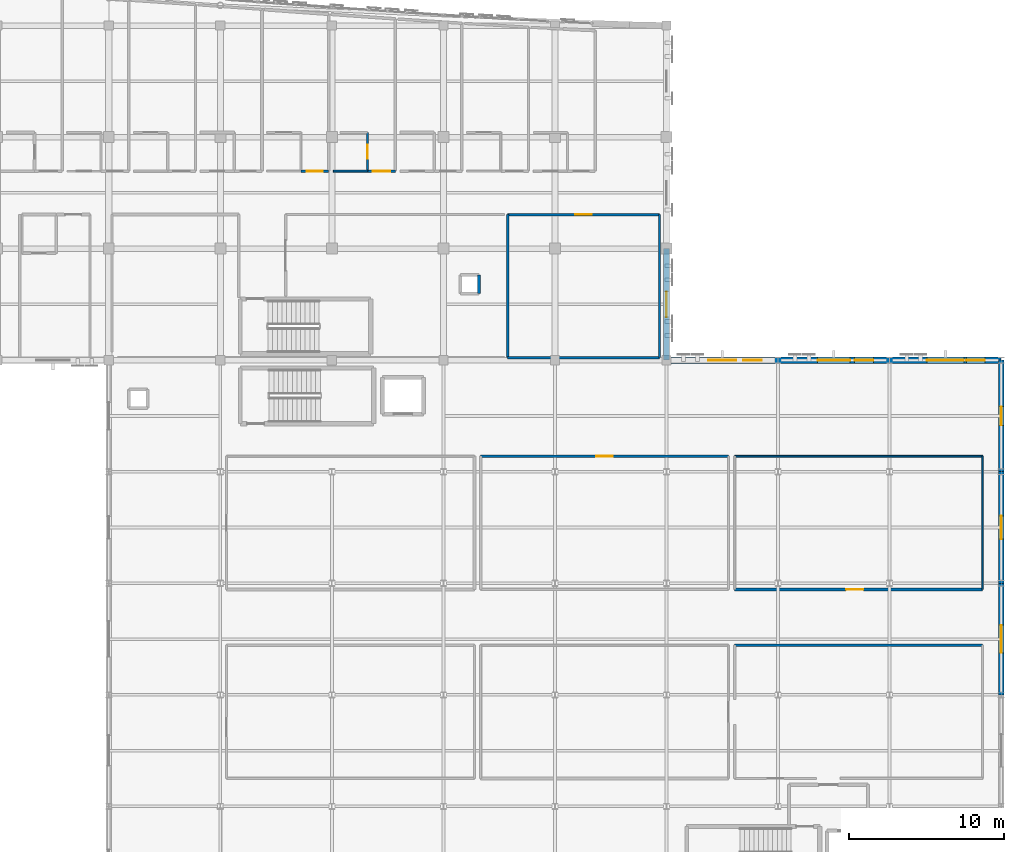
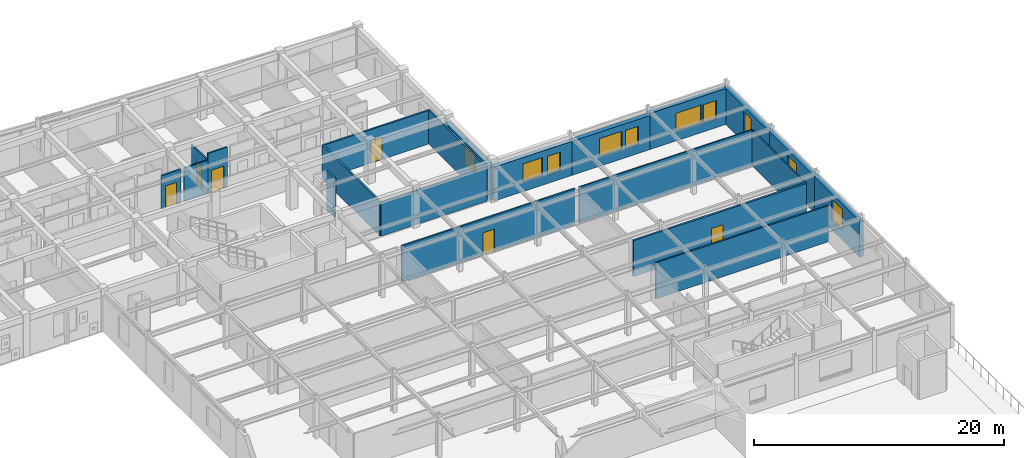
# One storey, part 100 of 113: 21 walls, 10 windows, 6 doors, 16 openings.
"""IFC4 building model written with IfcOpenShell, lengths in metres."""

from ifc_helpers import new_model, si_unit, direction, frame, frame_2d, origin, place, context, subcontext, project, spatial, rectangle, extrude, material, layer, layer_set, type_object, element, fill, save


model = new_model("IFC4")

# Units and contexts
model_context = context("Model", 3, precision=1e-05, world=origin(), true_north=direction((0.0, 1.0)))
body_context = subcontext(model_context, "Body", "Model", "MODEL_VIEW")
ifc_project = project(units=[si_unit("LENGTHUNIT", "METRE"), si_unit("AREAUNIT", "SQUARE_METRE"), si_unit("VOLUMEUNIT", "CUBIC_METRE"), si_unit("PLANEANGLEUNIT", "RADIAN"), si_unit("MASSUNIT", "GRAM", prefix="KILO")], contexts=[model_context])

# Site, building, storey
site_placement = place(None, origin())
site = spatial("IfcSite", under=ifc_project, at=site_placement, CompositionType="ELEMENT")
building_placement = place(site_placement, origin())
building = spatial("IfcBuilding", under=site, at=building_placement, Name="Carrowvane Square Congress Hotel", CompositionType="ELEMENT")
storey_placement = place(building_placement, frame((0.0, 0.0, 15.0)))
storey = spatial("IfcBuildingStorey", under=building, at=storey_placement, Name="L03", CompositionType="ELEMENT", Elevation=15.0)

# Wall, opening, window
ifc_material_1 = material(Name="Glazed terracotta rainscreen", Category="masonry")
ifc_layer_1 = layer(ifc_material_1, 0.360107421875)
ifc_layer_set_1 = layer_set([ifc_layer_1], Name="Glazed terracotta rainscreen")
wall_type_1 = type_object("IfcWallType", Name="WL-EXT-TC360", PredefinedType="STANDARD", material=ifc_layer_set_1)
wall_1_placement = place(storey_placement, frame((184.39990234375, 91.800048828125, 0.0), z_axis=(0.0, 0.0, 1.0), x_axis=(0.0, -1.0, 0.0)))
wall_1 = element("IfcWall", 1, at=wall_1_placement, inside=storey, type_object=wall_type_1, Name="L03 exterior facade wall 364", PredefinedType="STANDARD", context=body_context, shape_type="SweptSolid", body=[
    extrude(rectangle(XDim=7.199951171875, YDim=0.360107421875, at=frame_2d((3.60009765625, 0.0))), origin(), (0.0, 0.0, 1.0), 3.515625),
])
opening_1_placement = place(wall_1_placement, frame((3.0, 0.0, 0.89990234375)))
opening_1 = element("IfcOpeningElement", 2, at=opening_1_placement, cuts=wall_1, Name="Opening W-08", PredefinedType="OPENING", context=body_context, shape_type="SweptSolid", body=[
    extrude(rectangle(XDim=1.199951171875, YDim=2.10009765625, at=frame_2d((0.60009765625, 1.050048828125))), frame((0.0, 0.18994140625, 0.0), z_axis=(0.0, -1.0, 0.0), x_axis=(1.0, 0.0, 0.0)), (0.0, 0.0, 1.0), 0.380126953125),
])
ifc_material_2 = material(Name="Double-glazed low-E glass", Category="glass")
window_type_1 = type_object("IfcWindowType", Name="WIN-08", PartitioningType="SINGLE_PANEL", PredefinedType="WINDOW", material=ifc_material_2)
window_1_placement = place(opening_1_placement, origin())
window_1 = element("IfcWindow", 3, at=window_1_placement, inside=storey, type_object=window_type_1, Name="L03 facade window 186", OverallHeight=2.10009765625, OverallWidth=1.199951171875, PartitioningType="SINGLE_PANEL", PredefinedType="WINDOW", context=body_context, shape_type="SweptSolid", body=[
    extrude(rectangle(XDim=1.199951171875, YDim=2.10009765625, at=frame_2d((0.60009765625, 1.050048828125))), frame((0.0, 0.030029296875, 0.0), z_axis=(0.0, -1.0, 0.0), x_axis=(1.0, 0.0, 0.0)), (0.0, 0.0, 1.0), 0.06005859375),
])
fill(opening_1, window_1)

wall_2_placement = place(storey_placement, frame((184.39990234375, 84.60009765625, 0.0), z_axis=(0.0, 0.0, 1.0), x_axis=(0.0, -1.0, 0.0)))
wall_2 = element("IfcWall", 4, at=wall_2_placement, inside=storey, type_object=wall_type_1, Name="L03 exterior facade wall 365", PredefinedType="STANDARD", context=body_context, shape_type="SweptSolid", body=[
    extrude(rectangle(XDim=7.2001953125, YDim=0.360107421875, at=frame_2d((3.60009765625, 0.0))), origin(), (0.0, 0.0, 1.0), 3.515625),
])
opening_2_placement = place(wall_2_placement, frame((2.85009765625, 0.0, 0.89990234375)))
opening_2 = element("IfcOpeningElement", 5, at=opening_2_placement, cuts=wall_2, Name="Opening W-09", PredefinedType="OPENING", context=body_context, shape_type="SweptSolid", body=[
    extrude(rectangle(XDim=1.5, YDim=2.10009765625, at=frame_2d((0.75, 1.050048828125))), frame((0.0, 0.18994140625, 0.0), z_axis=(0.0, -1.0, 0.0), x_axis=(1.0, 0.0, 0.0)), (0.0, 0.0, 1.0), 0.380126953125),
])
ifc_material_3 = material(Name="Double-glazed low-E glass", Category="glass")
window_type_2 = type_object("IfcWindowType", Name="WIN-09", PartitioningType="SINGLE_PANEL", PredefinedType="WINDOW", material=ifc_material_3)
window_2_placement = place(opening_2_placement, origin())
window_2 = element("IfcWindow", 6, at=window_2_placement, inside=storey, type_object=window_type_2, Name="L03 facade window 187", OverallHeight=2.10009765625, OverallWidth=1.5, PartitioningType="SINGLE_PANEL", PredefinedType="WINDOW", context=body_context, shape_type="SweptSolid", body=[
    extrude(rectangle(XDim=1.5, YDim=2.10009765625, at=frame_2d((0.75, 1.050048828125))), frame((0.0, 0.030029296875, 0.0), z_axis=(0.0, -1.0, 0.0), x_axis=(1.0, 0.0, 0.0)), (0.0, 0.0, 1.0), 0.06005859375),
])
fill(opening_2, window_2)

wall_3_placement = place(storey_placement, frame((184.39990234375, 77.39990234375, 0.0), z_axis=(0.0, 0.0, 1.0), x_axis=(0.0, -1.0, 0.0)))
wall_3 = element("IfcWall", 7, at=wall_3_placement, inside=storey, type_object=wall_type_1, Name="L03 exterior facade wall 366", PredefinedType="STANDARD", context=body_context, shape_type="SweptSolid", body=[
    extrude(rectangle(XDim=7.199951171875, YDim=0.360107421875, at=frame_2d((3.60009765625, 0.0))), origin(), (0.0, 0.0, 1.0), 3.515625),
])
opening_3_placement = place(wall_3_placement, frame((2.699951171875, 0.0, 0.89990234375)))
opening_3 = element("IfcOpeningElement", 8, at=opening_3_placement, cuts=wall_3, Name="Opening W-10", PredefinedType="OPENING", context=body_context, shape_type="SweptSolid", body=[
    extrude(rectangle(XDim=1.800048828125, YDim=2.10009765625, at=frame_2d((0.89990234375, 1.050048828125))), frame((0.0, 0.18994140625, 0.0), z_axis=(0.0, -1.0, 0.0), x_axis=(1.0, 0.0, 0.0)), (0.0, 0.0, 1.0), 0.380126953125),
])
ifc_material_4 = material(Name="Double-glazed low-E glass", Category="glass")
window_type_3 = type_object("IfcWindowType", Name="WIN-10", PartitioningType="SINGLE_PANEL", PredefinedType="WINDOW", material=ifc_material_4)
window_3_placement = place(opening_3_placement, origin())
window_3 = element("IfcWindow", 9, at=window_3_placement, inside=storey, type_object=window_type_3, Name="L03 facade window 188", OverallHeight=2.10009765625, OverallWidth=1.800048828125, PartitioningType="SINGLE_PANEL", PredefinedType="WINDOW", context=body_context, shape_type="SweptSolid", body=[
    extrude(rectangle(XDim=1.800048828125, YDim=2.10009765625, at=frame_2d((0.89990234375, 1.050048828125))), frame((0.0, 0.030029296875, 0.0), z_axis=(0.0, -1.0, 0.0), x_axis=(1.0, 0.0, 0.0)), (0.0, 0.0, 1.0), 0.06005859375),
])
fill(opening_3, window_3)

ifc_material_5 = material(Name="Glazed terracotta rainscreen", Category="masonry")
ifc_layer_2 = layer(ifc_material_5, 0.39990234375)
ifc_layer_set_2 = layer_set([ifc_layer_2], Name="Glazed terracotta rainscreen")
wall_type_2 = type_object("IfcWallType", Name="WL-EXT-TC400", PredefinedType="STANDARD", material=ifc_layer_set_2)
wall_4_placement = place(storey_placement, frame((162.800048828125, 99.0, 0.0), z_axis=(0.0, 0.0, 1.0), x_axis=(0.0, -1.0, 0.0)))
wall_4 = element("IfcWall", 10, at=wall_4_placement, inside=storey, type_object=wall_type_2, Name="L03 exterior facade wall 360", PredefinedType="STANDARD", context=body_context, shape_type="SweptSolid", body=[
    extrude(rectangle(XDim=7.199951171875, YDim=0.39990234375, at=frame_2d((3.60009765625, 0.0))), origin(), (0.0, 0.0, 1.0), 3.27490234375),
])
opening_4_placement = place(wall_4_placement, frame((2.77490234375, 0.0, 0.89990234375)))
opening_4 = element("IfcOpeningElement", 11, at=opening_4_placement, cuts=wall_4, Name="Opening W-04", PredefinedType="OPENING", context=body_context, shape_type="SweptSolid", body=[
    extrude(rectangle(XDim=1.64990234375, YDim=1.800048828125, at=frame_2d((0.824951171875, 0.89990234375))), frame((0.0, 0.2099609375, 0.0), z_axis=(0.0, -1.0, 0.0), x_axis=(1.0, 0.0, 0.0)), (0.0, 0.0, 1.0), 0.419921875),
])
ifc_material_6 = material(Name="Double-glazed low-E glass", Category="glass")
window_type_4 = type_object("IfcWindowType", Name="WIN-04", PartitioningType="SINGLE_PANEL", PredefinedType="WINDOW", material=ifc_material_6)
window_4_placement = place(opening_4_placement, origin())
window_4 = element("IfcWindow", 12, at=window_4_placement, inside=storey, type_object=window_type_4, Name="L03 facade window 179", OverallHeight=1.800048828125, OverallWidth=1.64990234375, PartitioningType="SINGLE_PANEL", PredefinedType="WINDOW", context=body_context, shape_type="SweptSolid", body=[
    extrude(rectangle(XDim=1.64990234375, YDim=1.800048828125, at=frame_2d((0.824951171875, 0.89990234375))), frame((0.0, 0.030029296875, 0.0), z_axis=(0.0, -1.0, 0.0), x_axis=(1.0, 0.0, 0.0)), (0.0, 0.0, 1.0), 0.06005859375),
])
fill(opening_4, window_4)

# Wall, openings, windows
wall_5_placement = place(storey_placement, frame((162.800048828125, 91.800048828125, 0.0), z_axis=(0.0, 0.0, 1.0), x_axis=(1.0, 0.0, 0.0)))
wall_5 = element("IfcWall", 13, at=wall_5_placement, inside=storey, type_object=wall_type_2, Name="L03 exterior facade wall 361", PredefinedType="STANDARD", context=body_context, shape_type="SweptSolid", body=[
    extrude(rectangle(XDim=7.199951171875, YDim=0.39990234375, at=frame_2d((3.60009765625, 0.0))), origin(), (0.0, 0.0, 1.0), 3.324951171875),
])
opening_5_placement = place(wall_5_placement, frame((2.699951171875, 0.0, 0.89990234375)))
opening_5 = element("IfcOpeningElement", 14, at=opening_5_placement, cuts=wall_5, Name="Opening W-05", PredefinedType="OPENING", context=body_context, shape_type="SweptSolid", body=[
    extrude(rectangle(XDim=1.800048828125, YDim=1.800048828125, at=frame_2d((0.89990234375, 0.89990234375))), frame((0.0, 0.2099609375, 0.0), z_axis=(0.0, -1.0, 0.0), x_axis=(1.0, 0.0, 0.0)), (0.0, 0.0, 1.0), 0.419921875),
])
opening_6_placement = place(wall_5_placement, frame((4.949951171875, 0.0, 0.85009765625)))
opening_6 = element("IfcOpeningElement", 15, at=opening_6_placement, cuts=wall_5, Name="Opening W-01", PredefinedType="OPENING", context=body_context, shape_type="SweptSolid", body=[
    extrude(rectangle(XDim=1.199951171875, YDim=1.800048828125, at=frame_2d((0.60009765625, 0.89990234375))), frame((0.0, 0.2099609375, 0.0), z_axis=(0.0, -1.0, 0.0), x_axis=(1.0, 0.0, 0.0)), (0.0, 0.0, 1.0), 0.419921875),
])
ifc_material_7 = material(Name="Double-glazed low-E glass", Category="glass")
window_type_5 = type_object("IfcWindowType", Name="WIN-01", PartitioningType="SINGLE_PANEL", PredefinedType="WINDOW", material=ifc_material_7)
window_5_placement = place(opening_6_placement, origin())
window_5 = element("IfcWindow", 16, at=window_5_placement, inside=storey, type_object=window_type_5, Name="L03 guest bedroom window 181", OverallHeight=1.800048828125, OverallWidth=1.199951171875, PartitioningType="SINGLE_PANEL", PredefinedType="WINDOW", context=body_context, shape_type="SweptSolid", body=[
    extrude(rectangle(XDim=1.199951171875, YDim=1.800048828125, at=frame_2d((0.60009765625, 0.89990234375))), frame((0.0, 0.030029296875, 0.0), z_axis=(0.0, -1.0, 0.0), x_axis=(1.0, 0.0, 0.0)), (0.0, 0.0, 1.0), 0.06005859375),
])
fill(opening_6, window_5)
ifc_material_8 = material(Name="Double-glazed low-E glass", Category="glass")
window_type_6 = type_object("IfcWindowType", Name="WIN-05", PartitioningType="SINGLE_PANEL", PredefinedType="WINDOW", material=ifc_material_8)
window_6_placement = place(opening_5_placement, origin())
window_6 = element("IfcWindow", 17, at=window_6_placement, inside=storey, type_object=window_type_6, Name="L03 facade window 180", OverallHeight=1.800048828125, OverallWidth=1.800048828125, PartitioningType="SINGLE_PANEL", PredefinedType="WINDOW", context=body_context, shape_type="SweptSolid", body=[
    extrude(rectangle(XDim=1.800048828125, YDim=1.800048828125, at=frame_2d((0.89990234375, 0.89990234375))), frame((0.0, 0.030029296875, 0.0), z_axis=(0.0, -1.0, 0.0), x_axis=(1.0, 0.0, 0.0)), (0.0, 0.0, 1.0), 0.06005859375),
])
fill(opening_5, window_6)

wall_6_placement = place(storey_placement, frame((170.0, 91.800048828125, 0.0), z_axis=(0.0, 0.0, 1.0), x_axis=(1.0, 0.0, 0.0)))
wall_6 = element("IfcWall", 18, at=wall_6_placement, inside=storey, type_object=wall_type_2, Name="L03 exterior facade wall 362", PredefinedType="STANDARD", context=body_context, shape_type="SweptSolid", body=[
    extrude(rectangle(XDim=7.199951171875, YDim=0.39990234375, at=frame_2d((3.60009765625, 0.0))), origin(), (0.0, 0.0, 1.0), 3.324951171875),
])
opening_7_placement = place(wall_6_placement, frame((2.550048828125, 0.0, 0.89990234375)))
opening_7 = element("IfcOpeningElement", 19, at=opening_7_placement, cuts=wall_6, Name="Opening W-06", PredefinedType="OPENING", context=body_context, shape_type="SweptSolid", body=[
    extrude(rectangle(XDim=2.10009765625, YDim=1.800048828125, at=frame_2d((1.050048828125, 0.89990234375))), frame((0.0, 0.2099609375, 0.0), z_axis=(0.0, -1.0, 0.0), x_axis=(1.0, 0.0, 0.0)), (0.0, 0.0, 1.0), 0.419921875),
])
opening_8_placement = place(wall_6_placement, frame((4.949951171875, 0.0, 0.85009765625)))
opening_8 = element("IfcOpeningElement", 20, at=opening_8_placement, cuts=wall_6, Name="Opening W-01", PredefinedType="OPENING", context=body_context, shape_type="SweptSolid", body=[
    extrude(rectangle(XDim=1.199951171875, YDim=1.800048828125, at=frame_2d((0.60009765625, 0.89990234375))), frame((0.0, 0.2099609375, 0.0), z_axis=(0.0, -1.0, 0.0), x_axis=(1.0, 0.0, 0.0)), (0.0, 0.0, 1.0), 0.419921875),
])
window_7_placement = place(opening_8_placement, origin())
window_7 = element("IfcWindow", 21, at=window_7_placement, inside=storey, type_object=window_type_5, Name="L03 guest bedroom window 183", OverallHeight=1.800048828125, OverallWidth=1.199951171875, PartitioningType="SINGLE_PANEL", PredefinedType="WINDOW", context=body_context, shape_type="SweptSolid", body=[
    extrude(rectangle(XDim=1.199951171875, YDim=1.800048828125, at=frame_2d((0.60009765625, 0.89990234375))), frame((0.0, 0.030029296875, 0.0), z_axis=(0.0, -1.0, 0.0), x_axis=(1.0, 0.0, 0.0)), (0.0, 0.0, 1.0), 0.06005859375),
])
fill(opening_8, window_7)
ifc_material_9 = material(Name="Double-glazed low-E glass", Category="glass")
window_type_7 = type_object("IfcWindowType", Name="WIN-06", PartitioningType="SINGLE_PANEL", PredefinedType="WINDOW", material=ifc_material_9)
window_8_placement = place(opening_7_placement, origin())
window_8 = element("IfcWindow", 22, at=window_8_placement, inside=storey, type_object=window_type_7, Name="L03 facade window 182", OverallHeight=1.800048828125, OverallWidth=2.10009765625, PartitioningType="SINGLE_PANEL", PredefinedType="WINDOW", context=body_context, shape_type="SweptSolid", body=[
    extrude(rectangle(XDim=2.10009765625, YDim=1.800048828125, at=frame_2d((1.050048828125, 0.89990234375))), frame((0.0, 0.030029296875, 0.0), z_axis=(0.0, -1.0, 0.0), x_axis=(1.0, 0.0, 0.0)), (0.0, 0.0, 1.0), 0.06005859375),
])
fill(opening_7, window_8)

wall_7_placement = place(storey_placement, frame((177.199951171875, 91.800048828125, 0.0), z_axis=(0.0, 0.0, 1.0), x_axis=(1.0, 0.0, 0.0)))
wall_7 = element("IfcWall", 23, at=wall_7_placement, inside=storey, type_object=wall_type_2, Name="L03 exterior facade wall 363", PredefinedType="STANDARD", context=body_context, shape_type="SweptSolid", body=[
    extrude(rectangle(XDim=7.199951171875, YDim=0.39990234375, at=frame_2d((3.60009765625, 0.0))), origin(), (0.0, 0.0, 1.0), 3.515625),
])
opening_9_placement = place(wall_7_placement, frame((2.39990234375, 0.0, 0.89990234375)))
opening_9 = element("IfcOpeningElement", 24, at=opening_9_placement, cuts=wall_7, Name="Opening W-07", PredefinedType="OPENING", context=body_context, shape_type="SweptSolid", body=[
    extrude(rectangle(XDim=2.39990234375, YDim=1.800048828125, at=frame_2d((1.199951171875, 0.89990234375))), frame((0.0, 0.2099609375, 0.0), z_axis=(0.0, -1.0, 0.0), x_axis=(1.0, 0.0, 0.0)), (0.0, 0.0, 1.0), 0.419921875),
])
opening_10_placement = place(wall_7_placement, frame((4.949951171875, 0.0, 0.85009765625)))
opening_10 = element("IfcOpeningElement", 25, at=opening_10_placement, cuts=wall_7, Name="Opening W-01", PredefinedType="OPENING", context=body_context, shape_type="SweptSolid", body=[
    extrude(rectangle(XDim=1.199951171875, YDim=1.800048828125, at=frame_2d((0.60009765625, 0.89990234375))), frame((0.0, 0.2099609375, 0.0), z_axis=(0.0, -1.0, 0.0), x_axis=(1.0, 0.0, 0.0)), (0.0, 0.0, 1.0), 0.419921875),
])
window_9_placement = place(opening_10_placement, origin())
window_9 = element("IfcWindow", 26, at=window_9_placement, inside=storey, type_object=window_type_5, Name="L03 guest bedroom window 185", OverallHeight=1.800048828125, OverallWidth=1.199951171875, PartitioningType="SINGLE_PANEL", PredefinedType="WINDOW", context=body_context, shape_type="SweptSolid", body=[
    extrude(rectangle(XDim=1.199951171875, YDim=1.800048828125, at=frame_2d((0.60009765625, 0.89990234375))), frame((0.0, 0.030029296875, 0.0), z_axis=(0.0, -1.0, 0.0), x_axis=(1.0, 0.0, 0.0)), (0.0, 0.0, 1.0), 0.06005859375),
])
fill(opening_10, window_9)
ifc_material_10 = material(Name="Double-glazed low-E glass", Category="glass")
window_type_8 = type_object("IfcWindowType", Name="WIN-07", PartitioningType="SINGLE_PANEL", PredefinedType="WINDOW", material=ifc_material_10)
window_10_placement = place(opening_9_placement, origin())
window_10 = element("IfcWindow", 27, at=window_10_placement, inside=storey, type_object=window_type_8, Name="L03 facade window 184", OverallHeight=1.800048828125, OverallWidth=2.39990234375, PartitioningType="SINGLE_PANEL", PredefinedType="WINDOW", context=body_context, shape_type="SweptSolid", body=[
    extrude(rectangle(XDim=2.39990234375, YDim=1.800048828125, at=frame_2d((1.199951171875, 0.89990234375))), frame((0.0, 0.030029296875, 0.0), z_axis=(0.0, -1.0, 0.0), x_axis=(1.0, 0.0, 0.0)), (0.0, 0.0, 1.0), 0.06005859375),
])
fill(opening_9, window_10)

# Wall, opening, door
ifc_material_11 = material(Name="Acoustic gypsum board", Category="gypsum")
ifc_layer_3 = layer(ifc_material_11, 0.155029296875)
ifc_layer_set_3 = layer_set([ifc_layer_3], Name="Acoustic gypsum board")
wall_type_3 = type_object("IfcWallType", Name="WL-FIR-155", PredefinedType="PARTITIONING", material=ifc_layer_set_3)
wall_8_placement = place(storey_placement, frame((152.550048828125, 101.199951171875, 0.0), z_axis=(0.0, 0.0, 1.0), x_axis=(1.0, 0.0, 0.0)))
wall_8 = element("IfcWall", 28, at=wall_8_placement, inside=storey, type_object=wall_type_3, Name="L03 L03 Junior Suite Salon partition", PredefinedType="PARTITIONING", context=body_context, shape_type="SweptSolid", body=[
    extrude(rectangle(XDim=9.800048828125, YDim=0.155029296875, at=frame_2d((4.89990234375, 0.0))), origin(), (0.0, 0.0, 1.0), 3.27490234375),
])
opening_11_placement = place(wall_8_placement, frame((4.3701171875, 0.0, 0.0)))
opening_11 = element("IfcOpeningElement", 29, at=opening_11_placement, cuts=wall_8, Name="Opening FD-09", PredefinedType="OPENING", context=body_context, shape_type="SweptSolid", body=[
    extrude(rectangle(XDim=1.06005859375, YDim=2.199951171875, at=frame_2d((0.530029296875, 1.10009765625))), frame((0.0, 0.08740234375, 0.0), z_axis=(0.0, -1.0, 0.0), x_axis=(1.0, 0.0, 0.0)), (0.0, 0.0, 1.0), 0.175048828125),
])
ifc_material_12 = material(Name="European oak timber", Category="wood")
door_type_1 = type_object("IfcDoorType", Name="DR-FD30-1060x2200", OperationType="NOTDEFINED", PredefinedType="DOOR", material=ifc_material_12)
door_1_placement = place(opening_11_placement, origin())
door_1 = element("IfcDoor", 30, at=door_1_placement, inside=storey, type_object=door_type_1, Name="L03 L03 Junior Suite Salon entrance door", OperationType="SINGLE_SWING_RIGHT", OverallHeight=2.199951171875, OverallWidth=1.06005859375, PredefinedType="DOOR", context=body_context, shape_type="SweptSolid", body=[
    extrude(rectangle(XDim=1.06005859375, YDim=2.199951171875, at=frame_2d((0.530029296875, 1.10009765625))), frame((0.0, 0.02490234375, 0.0), z_axis=(0.0, -1.0, 0.0), x_axis=(1.0, 0.0, 0.0)), (0.0, 0.0, 1.0), 0.050048828125),
])
fill(opening_11, door_1)

wall_9_placement = place(storey_placement, frame((140.989990234375, 104.0, 0.0), z_axis=(0.0, 0.0, 1.0), x_axis=(-1.0, 0.0, 0.0)))
wall_9 = element("IfcWall", 31, at=wall_9_placement, inside=storey, type_object=wall_type_3, Name="L03 Parkview Guest Bedroom 0321 partition", PredefinedType="PARTITIONING", context=body_context, shape_type="SweptSolid", body=[
    extrude(rectangle(XDim=1.780029296875, YDim=0.155029296875, at=frame_2d((0.89013671875, 0.0))), origin(), (0.0, 0.0, 1.0), 3.27490234375),
])
opening_12_placement = place(wall_9_placement, frame((0.3798828125, 0.0, 0.0)))
opening_12 = element("IfcOpeningElement", 32, at=opening_12_placement, cuts=wall_9, Name="Opening FD-08", PredefinedType="OPENING", context=body_context, shape_type="SweptSolid", body=[
    extrude(rectangle(XDim=1.02001953125, YDim=2.14990234375, at=frame_2d((0.510009765625, 1.074951171875))), frame((0.0, 0.08740234375, 0.0), z_axis=(0.0, -1.0, 0.0), x_axis=(1.0, 0.0, 0.0)), (0.0, 0.0, 1.0), 0.175048828125),
])
ifc_material_13 = material(Name="European oak timber", Category="wood")
door_type_2 = type_object("IfcDoorType", Name="DR-FD30-1020x2150", OperationType="NOTDEFINED", PredefinedType="DOOR", material=ifc_material_13)
door_2_placement = place(opening_12_placement, origin())
door_2 = element("IfcDoor", 33, at=door_2_placement, inside=storey, type_object=door_type_2, Name="L03 Parkview Guest Bedroom 0321 entrance door", OperationType="SINGLE_SWING_RIGHT", OverallHeight=2.14990234375, OverallWidth=1.02001953125, PredefinedType="DOOR", context=body_context, shape_type="SweptSolid", body=[
    extrude(rectangle(XDim=1.02001953125, YDim=2.14990234375, at=frame_2d((0.510009765625, 1.074951171875))), frame((0.0, 0.02490234375, 0.0), z_axis=(0.0, -1.0, 0.0), x_axis=(1.0, 0.0, 0.0)), (0.0, 0.0, 1.0), 0.050048828125),
])
fill(opening_12, door_2)

# Wall
ifc_material_14 = material(Name="Acoustic gypsum board", Category="gypsum")
ifc_layer_4 = layer(ifc_material_14, 0.169921875)
ifc_layer_set_4 = layer_set([ifc_layer_4], Name="Acoustic gypsum board")
wall_type_4 = type_object("IfcWallType", Name="WL-FIR-170", PredefinedType="PARTITIONING", material=ifc_layer_set_4)
wall_10_placement = place(storey_placement, frame((152.550048828125, 91.9599609375, 0.0), z_axis=(0.0, 0.0, 1.0), x_axis=(0.0, 1.0, 0.0)))
element("IfcWall", 34, at=wall_10_placement, inside=storey, type_object=wall_type_4, Name="L03 L03 Junior Suite Salon partition", PredefinedType="PARTITIONING", context=body_context, shape_type="SweptSolid", body=[
    extrude(rectangle(XDim=9.239990234375, YDim=0.169921875, at=frame_2d((4.6201171875, 0.0))), origin(), (0.0, 0.0, 1.0), 3.324951171875),
])

# Wall, opening, door
ifc_material_15 = material(Name="Acoustic gypsum board", Category="gypsum")
ifc_layer_5 = layer(ifc_material_15, 0.18505859375)
ifc_layer_set_5 = layer_set([ifc_layer_5], Name="Acoustic gypsum board")
wall_type_5 = type_object("IfcWallType", Name="WL-FIR-185", PredefinedType="PARTITIONING", material=ifc_layer_set_5)
wall_11_placement = place(storey_placement, frame((183.199951171875, 77.0, 0.0), z_axis=(0.0, 0.0, 1.0), x_axis=(-1.0, 0.0, 0.0)))
wall_11 = element("IfcWall", 35, at=wall_11_placement, inside=storey, type_object=wall_type_5, Name="L03 Executive Conference Suite 306 partition", PredefinedType="PARTITIONING", context=body_context, shape_type="SweptSolid", body=[
    extrude(rectangle(XDim=16.0, YDim=0.18505859375, at=frame_2d((8.0, 0.0))), origin(), (0.0, 0.0, 1.0), 3.515625),
])
opening_13_placement = place(wall_11_placement, frame((7.699951171875, 0.0, 0.0)))
opening_13 = element("IfcOpeningElement", 36, at=opening_13_placement, cuts=wall_11, Name="Opening ID-22", PredefinedType="OPENING", context=body_context, shape_type="SweptSolid", body=[
    extrude(rectangle(XDim=1.10009765625, YDim=2.179931640625, at=frame_2d((0.550048828125, 1.08984375))), frame((0.0, 0.1025390625, 0.0), z_axis=(0.0, -1.0, 0.0), x_axis=(1.0, 0.0, 0.0)), (0.0, 0.0, 1.0), 0.205078125),
])
ifc_material_16 = material(Name="European oak timber", Category="wood")
door_type_3 = type_object("IfcDoorType", Name="DR-INT-1100x2180", OperationType="NOTDEFINED", PredefinedType="DOOR", material=ifc_material_16)
door_3_placement = place(opening_13_placement, origin())
door_3 = element("IfcDoor", 37, at=door_3_placement, inside=storey, type_object=door_type_3, Name="L03 Executive Conference Suite 306 entrance door", OperationType="SINGLE_SWING_RIGHT", OverallHeight=2.179931640625, OverallWidth=1.10009765625, PredefinedType="DOOR", context=body_context, shape_type="SweptSolid", body=[
    extrude(rectangle(XDim=1.10009765625, YDim=2.179931640625, at=frame_2d((0.550048828125, 1.08984375))), frame((0.0, 0.02490234375, 0.0), z_axis=(0.0, -1.0, 0.0), x_axis=(1.0, 0.0, 0.0)), (0.0, 0.0, 1.0), 0.050048828125),
])
fill(opening_13, door_3)

# Walls
ifc_material_17 = material(Name="Standing-seam zinc cladding", Category="metal")
ifc_layer_6 = layer(ifc_material_17, 0.195068359375)
ifc_layer_set_6 = layer_set([ifc_layer_6], Name="Standing-seam zinc cladding")
wall_type_6 = type_object("IfcWallType", Name="WL-PAR-195", PredefinedType="PARAPET", material=ifc_layer_set_6)
wall_12_placement = place(storey_placement, frame((150.699951171875, 96.10009765625, 0.0), z_axis=(0.0, 0.0, 1.0), x_axis=(0.0, 1.0, 0.0)))
element("IfcWall", 38, at=wall_12_placement, inside=storey, type_object=wall_type_6, Name="L03 service riser RSR-V5E enclosure E", PredefinedType="PARAPET", context=body_context, shape_type="SweptSolid", body=[
    extrude(rectangle(XDim=1.199951171875, YDim=0.195068359375, at=frame_2d((0.60009765625, 0.0))), origin(), (0.0, 0.0, 1.0), 3.800048828125),
])
ifc_material_18 = material(Name="Acoustic gypsum board", Category="gypsum")
ifc_layer_7 = layer(ifc_material_18, 0.097900390625)
ifc_layer_set_7 = layer_set([ifc_layer_7], Name="Acoustic gypsum board")
wall_type_7 = type_object("IfcWallType", Name="WL-PRT-098", PredefinedType="PARTITIONING", material=ifc_layer_set_7)
wall_13_placement = place(storey_placement, frame((183.199951171875, 85.60009765625, 0.0), z_axis=(0.0, 0.0, 1.0), x_axis=(0.0, -1.0, 0.0)))
element("IfcWall", 39, at=wall_13_placement, inside=storey, type_object=wall_type_7, Name="L03 Executive Conference Suite 306 partition", PredefinedType="PARTITIONING", context=body_context, shape_type="SweptSolid", body=[
    extrude(rectangle(XDim=8.60009765625, YDim=0.097900390625, at=frame_2d((4.300048828125, 0.0))), origin(), (0.0, 0.0, 1.0), 3.515625),
])
ifc_material_19 = material(Name="Acoustic gypsum board", Category="gypsum")
ifc_layer_8 = layer(ifc_material_19, 0.10791015625)
ifc_layer_set_8 = layer_set([ifc_layer_8], Name="Acoustic gypsum board")
wall_type_8 = type_object("IfcWallType", Name="WL-PRT-108", PredefinedType="PARTITIONING", material=ifc_layer_set_8)
wall_14_placement = place(storey_placement, frame((167.199951171875, 85.60009765625, 0.0), z_axis=(0.0, 0.0, 1.0), x_axis=(1.0, 0.0, 0.0)))
element("IfcWall", 40, at=wall_14_placement, inside=storey, type_object=wall_type_8, Name="L03 Executive Conference Suite 306 partition", PredefinedType="PARTITIONING", context=body_context, shape_type="SweptSolid", body=[
    extrude(rectangle(XDim=16.0, YDim=0.10791015625, at=frame_2d((8.0, 0.0))), origin(), (0.0, 0.0, 1.0), 3.515625),
])
ifc_material_20 = material(Name="Acoustic gypsum board", Category="gypsum")
ifc_layer_9 = layer(ifc_material_20, 0.1279296875)
ifc_layer_set_9 = layer_set([ifc_layer_9], Name="Acoustic gypsum board")
wall_type_9 = type_object("IfcWallType", Name="WL-PRT-128", PredefinedType="PARTITIONING", material=ifc_layer_set_9)
wall_15_placement = place(storey_placement, frame((143.5, 104.0, 0.0), z_axis=(0.0, 0.0, 1.0), x_axis=(-1.0, 0.0, 0.0)))
element("IfcWall", 41, at=wall_15_placement, inside=storey, type_object=wall_type_9, Name="L03 En-suite Bathroom 0322 partition", PredefinedType="PARTITIONING", context=body_context, shape_type="SweptSolid", body=[
    extrude(rectangle(XDim=2.199951171875, YDim=0.1279296875, at=frame_2d((1.10009765625, 0.0))), origin(), (0.0, 0.0, 1.0), 3.27490234375),
])
ifc_material_21 = material(Name="Acoustic gypsum board", Category="gypsum")
ifc_layer_10 = layer(ifc_material_21, 0.137939453125)
ifc_layer_set_10 = layer_set([ifc_layer_10], Name="Acoustic gypsum board")
wall_type_10 = type_object("IfcWallType", Name="WL-PRT-138", PredefinedType="PARTITIONING", material=ifc_layer_set_10)
wall_16_placement = place(storey_placement, frame((162.35009765625, 91.9599609375, 0.0), z_axis=(0.0, 0.0, 1.0), x_axis=(-1.0, 0.0, 0.0)))
element("IfcWall", 42, at=wall_16_placement, inside=storey, type_object=wall_type_10, Name="L03 L03 Junior Suite Salon partition", PredefinedType="PARTITIONING", context=body_context, shape_type="SweptSolid", body=[
    extrude(rectangle(XDim=9.800048828125, YDim=0.137939453125, at=frame_2d((4.89990234375, 0.0))), origin(), (0.0, 0.0, 1.0), 3.324951171875),
])

# Wall, opening, door
wall_17_placement = place(storey_placement, frame((143.5, 106.5, 0.0), z_axis=(0.0, 0.0, 1.0), x_axis=(0.0, -1.0, 0.0)))
wall_17 = element("IfcWall", 43, at=wall_17_placement, inside=storey, type_object=wall_type_10, Name="L03 En-suite Bathroom 0322 partition", PredefinedType="PARTITIONING", context=body_context, shape_type="SweptSolid", body=[
    extrude(rectangle(XDim=2.5, YDim=0.137939453125, at=frame_2d((1.25, 0.0))), origin(), (0.0, 0.0, 1.0), 3.324951171875),
])
opening_14_placement = place(wall_17_placement, frame((0.804931640625, 0.0, 0.0)))
opening_14 = element("IfcOpeningElement", 44, at=opening_14_placement, cuts=wall_17, Name="Opening ID-16", PredefinedType="OPENING", context=body_context, shape_type="SweptSolid", body=[
    extrude(rectangle(XDim=0.889892578125, YDim=2.090087890625, at=frame_2d((0.44482421875, 1.044921875))), frame((0.0, 0.078857421875, 0.0), z_axis=(0.0, -1.0, 0.0), x_axis=(1.0, 0.0, 0.0)), (0.0, 0.0, 1.0), 0.157958984375),
])
ifc_material_22 = material(Name="European oak timber", Category="wood")
door_type_4 = type_object("IfcDoorType", Name="DR-INT-0890x2090", OperationType="NOTDEFINED", PredefinedType="DOOR", material=ifc_material_22)
door_4_placement = place(opening_14_placement, origin())
door_4 = element("IfcDoor", 45, at=door_4_placement, inside=storey, type_object=door_type_4, Name="L03 En-suite Bathroom 0322 door", OperationType="SINGLE_SWING_LEFT", OverallHeight=2.090087890625, OverallWidth=0.889892578125, PredefinedType="DOOR", context=body_context, shape_type="SweptSolid", body=[
    extrude(rectangle(XDim=0.889892578125, YDim=2.090087890625, at=frame_2d((0.44482421875, 1.044921875))), frame((0.0, 0.02490234375, 0.0), z_axis=(0.0, -1.0, 0.0), x_axis=(1.0, 0.0, 0.0)), (0.0, 0.0, 1.0), 0.050048828125),
])
fill(opening_14, door_4)

# Wall
ifc_material_23 = material(Name="Acoustic gypsum board", Category="gypsum")
ifc_layer_11 = layer(ifc_material_23, 0.14794921875)
ifc_layer_set_11 = layer_set([ifc_layer_11], Name="Acoustic gypsum board")
wall_type_11 = type_object("IfcWallType", Name="WL-PRT-148", PredefinedType="PARTITIONING", material=ifc_layer_set_11)
wall_18_placement = place(storey_placement, frame((162.35009765625, 101.199951171875, 0.0), z_axis=(0.0, 0.0, 1.0), x_axis=(0.0, -1.0, 0.0)))
element("IfcWall", 46, at=wall_18_placement, inside=storey, type_object=wall_type_11, Name="L03 L03 Junior Suite Salon partition", PredefinedType="PARTITIONING", context=body_context, shape_type="SweptSolid", body=[
    extrude(rectangle(XDim=9.239990234375, YDim=0.14794921875, at=frame_2d((4.6201171875, 0.0))), origin(), (0.0, 0.0, 1.0), 3.324951171875),
])

# Wall, opening, door
wall_19_placement = place(storey_placement, frame((145.2900390625, 104.0, 0.0), z_axis=(0.0, 0.0, 1.0), x_axis=(-1.0, 0.0, 0.0)))
wall_19 = element("IfcWall", 47, at=wall_19_placement, inside=storey, type_object=wall_type_11, Name="L03 Parkview Guest Bedroom 0322 partition", PredefinedType="PARTITIONING", context=body_context, shape_type="SweptSolid", body=[
    extrude(rectangle(XDim=1.780029296875, YDim=0.14794921875, at=frame_2d((0.89013671875, 0.0))), origin(), (0.0, 0.0, 1.0), 3.93994140625),
])
opening_15_placement = place(wall_19_placement, frame((0.330078125, 0.0, 0.0)))
opening_15 = element("IfcOpeningElement", 48, at=opening_15_placement, cuts=wall_19, Name="Opening FD-10", PredefinedType="OPENING", context=body_context, shape_type="SweptSolid", body=[
    extrude(rectangle(XDim=1.1201171875, YDim=2.199951171875, at=frame_2d((0.56005859375, 1.10009765625))), frame((0.0, 0.083984375, 0.0), z_axis=(0.0, -1.0, 0.0), x_axis=(1.0, 0.0, 0.0)), (0.0, 0.0, 1.0), 0.16796875),
])
ifc_material_24 = material(Name="European oak timber", Category="wood")
door_type_5 = type_object("IfcDoorType", Name="DR-FD30-1120x2200", OperationType="NOTDEFINED", PredefinedType="DOOR", material=ifc_material_24)
door_5_placement = place(opening_15_placement, origin())
door_5 = element("IfcDoor", 49, at=door_5_placement, inside=storey, type_object=door_type_5, Name="L03 Parkview Guest Bedroom 0322 entrance door", OperationType="SINGLE_SWING_RIGHT", OverallHeight=2.199951171875, OverallWidth=1.1201171875, PredefinedType="DOOR", context=body_context, shape_type="SweptSolid", body=[
    extrude(rectangle(XDim=1.1201171875, YDim=2.199951171875, at=frame_2d((0.56005859375, 1.10009765625))), frame((0.0, 0.02490234375, 0.0), z_axis=(0.0, -1.0, 0.0), x_axis=(1.0, 0.0, 0.0)), (0.0, 0.0, 1.0), 0.050048828125),
])
fill(opening_15, door_5)

# Wall
wall_20_placement = place(storey_placement, frame((167.199951171875, 73.39990234375, 0.0), z_axis=(0.0, 0.0, 1.0), x_axis=(1.0, 0.0, 0.0)))
element("IfcWall", 50, at=wall_20_placement, inside=storey, type_object=wall_type_11, Name="L03 Executive Conference Suite 303 partition", PredefinedType="PARTITIONING", context=body_context, shape_type="SweptSolid", body=[
    extrude(rectangle(XDim=16.0, YDim=0.14794921875, at=frame_2d((8.0, 0.0))), origin(), (0.0, 0.0, 1.0), 3.515625),
])

# Wall, opening, door
wall_21_placement = place(storey_placement, frame((150.800048828125, 85.60009765625, 0.0), z_axis=(0.0, 0.0, 1.0), x_axis=(1.0, 0.0, 0.0)))
wall_21 = element("IfcWall", 51, at=wall_21_placement, inside=storey, type_object=wall_type_11, Name="L03 Executive Conference Suite 305 partition", PredefinedType="PARTITIONING", context=body_context, shape_type="SweptSolid", body=[
    extrude(rectangle(XDim=16.0, YDim=0.14794921875, at=frame_2d((8.0, 0.0))), origin(), (0.0, 0.0, 1.0), 3.515625),
])
opening_16_placement = place(wall_21_placement, frame((7.47509765625, 0.0, 0.0)))
opening_16 = element("IfcOpeningElement", 52, at=opening_16_placement, cuts=wall_21, Name="Opening ID-21", PredefinedType="OPENING", context=body_context, shape_type="SweptSolid", body=[
    extrude(rectangle(XDim=1.050048828125, YDim=2.179931640625, at=frame_2d((0.52490234375, 1.08984375))), frame((0.0, 0.083984375, 0.0), z_axis=(0.0, -1.0, 0.0), x_axis=(1.0, 0.0, 0.0)), (0.0, 0.0, 1.0), 0.16796875),
])
ifc_material_25 = material(Name="European oak timber", Category="wood")
door_type_6 = type_object("IfcDoorType", Name="DR-INT-1050x2180", OperationType="NOTDEFINED", PredefinedType="DOOR", material=ifc_material_25)
door_6_placement = place(opening_16_placement, origin())
door_6 = element("IfcDoor", 53, at=door_6_placement, inside=storey, type_object=door_type_6, Name="L03 Executive Conference Suite 305 entrance door", OperationType="SINGLE_SWING_LEFT", OverallHeight=2.179931640625, OverallWidth=1.050048828125, PredefinedType="DOOR", context=body_context, shape_type="SweptSolid", body=[
    extrude(rectangle(XDim=1.050048828125, YDim=2.179931640625, at=frame_2d((0.52490234375, 1.08984375))), frame((0.0, 0.02490234375, 0.0), z_axis=(0.0, -1.0, 0.0), x_axis=(1.0, 0.0, 0.0)), (0.0, 0.0, 1.0), 0.050048828125),
])
fill(opening_16, door_6)

save(model, "model.ifc")
